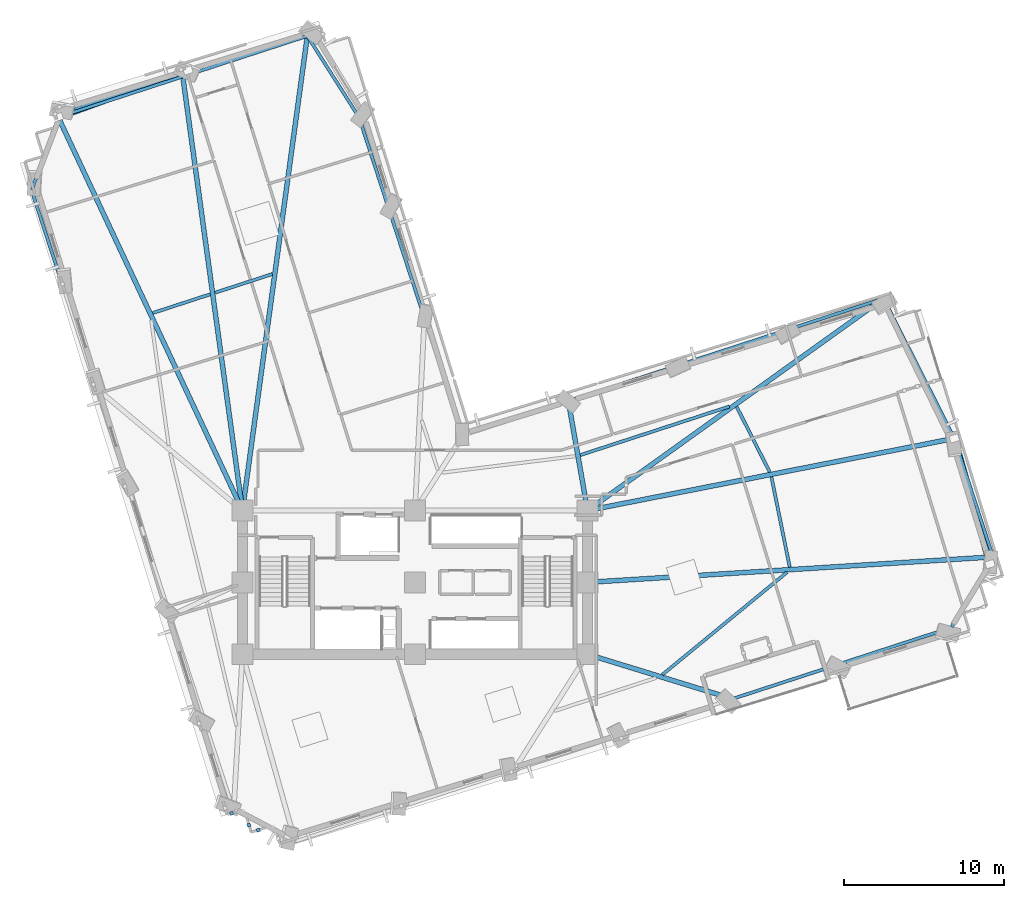
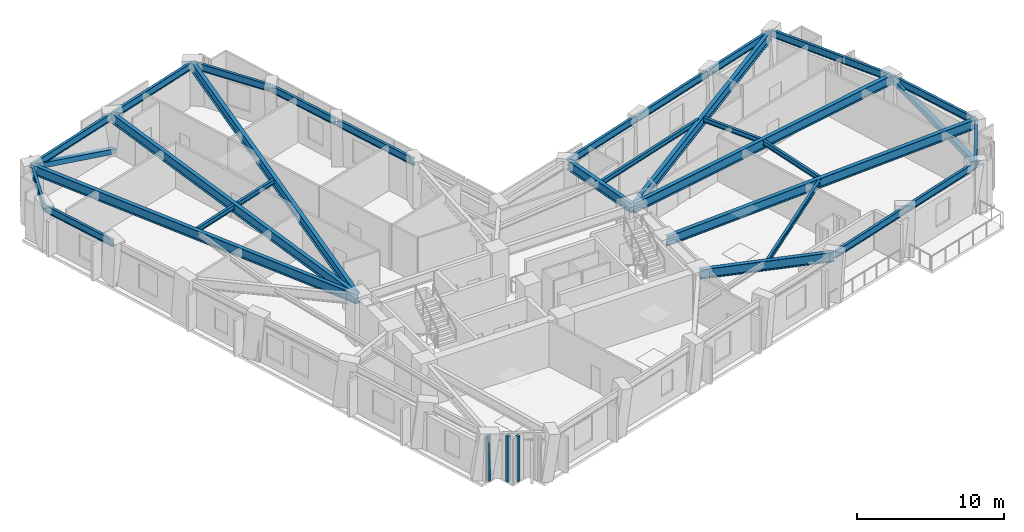
# One storey, part 2 of 14: 29 beams, 3 plates, 2 members.
"""IFC4 building model written with IfcOpenShell, lengths in metres."""

from ifc_helpers import new_model, si_unit, direction, frame, origin, origin_2d, place, context, subcontext, project, spatial, rectangle, hollow_rectangle, i_section, extrude, material, layer, layer_set, material_profile, profile_set, type_object, element, save


model = new_model("IFC4")

# Units and contexts
model_context = context("Model", 3, precision=1e-05, world=origin(), true_north=direction((0.0, 1.0)))
body_context = subcontext(model_context, "Body", "Model", "MODEL_VIEW")
ifc_project = project(units=[si_unit("LENGTHUNIT", "METRE"), si_unit("AREAUNIT", "SQUARE_METRE"), si_unit("VOLUMEUNIT", "CUBIC_METRE"), si_unit("PLANEANGLEUNIT", "RADIAN"), si_unit("MASSUNIT", "GRAM", prefix="KILO")], contexts=[model_context])

# Site, building, storey
site_placement = place(None, origin())
site = spatial("IfcSite", under=ifc_project, at=site_placement, CompositionType="ELEMENT")
building_placement = place(site_placement, origin())
building = spatial("IfcBuilding", under=site, at=building_placement, Name="Gaonmaruhae Medical Tower", CompositionType="ELEMENT")
storey_placement = place(building_placement, frame((0.0, 0.0, 96.39990234375)))
storey = spatial("IfcBuildingStorey", under=building, at=storey_placement, Name="L22", CompositionType="ELEMENT", Elevation=96.39990234375)

# Beams
ifc_material_1 = material(Name="Steel SM355", Category="steel")
ifc_material_profile_1 = material_profile(ifc_material_1, i_section(OverallWidth=0.199951171875, OverallDepth=0.39990234375, WebThickness=0.008056640625, FlangeThickness=0.012939453125, FilletRadius=0.012939453125, at=origin_2d()), Name="H-400x200x8x13")
ifc_profile_set_1 = profile_set([ifc_material_profile_1], Name="Steel SM355")
beam_type_1 = type_object("IfcBeamType", Name="FJ-01 Lower Zone Ward Floor Joist (H-400x200x8x13)", PredefinedType="JOIST", material=ifc_profile_set_1)
beam_1_placement = place(storey_placement, frame((40.282470703125, 6.522216796875, 3.580078125), z_axis=(0.772736419229, 0.634727048736, 0.0), x_axis=(-0.634727048736, 0.772736419229, 0.0)))
element("IfcBeam", 1, at=beam_1_placement, inside=storey, type_object=beam_type_1, Name="L22 Secondary Floor Joist FJ03", PredefinedType="JOIST", context=body_context, shape_type="SweptSolid", body=[
    extrude(i_section(OverallWidth=0.199951171875, OverallDepth=0.39990234375, WebThickness=0.008056640625, FlangeThickness=0.012939453125, FilletRadius=0.012939453125, at=origin_2d()), origin(), (0.0, 0.0, 1.0), 10.09765625),
])
beam_2_placement = place(storey_placement, frame((48.256591796875, 13.252197265625, 3.580078125), z_axis=(-0.198753661797, 0.980049479324, 0.0), x_axis=(-0.980049479324, -0.198753661797, 0.0)))
element("IfcBeam", 2, at=beam_2_placement, inside=storey, type_object=beam_type_1, Name="L22 Secondary Floor Joist FJ04", PredefinedType="JOIST", context=body_context, shape_type="SweptSolid", body=[
    extrude(i_section(OverallWidth=0.199951171875, OverallDepth=0.39990234375, WebThickness=0.008056640625, FlangeThickness=0.012939453125, FilletRadius=0.012939453125, at=origin_2d()), origin(), (0.0, 0.0, 1.0), 5.765869140625),
])
beam_3_placement = place(storey_placement, frame((47.006591796875, 19.2001953125, 3.580078125), z_axis=(-0.451507997777, 0.892267072094, 0.0), x_axis=(-0.892267072094, -0.451507997777, 0.0)))
element("IfcBeam", 3, at=beam_3_placement, inside=storey, type_object=beam_type_1, Name="L22 Secondary Floor Joist FJ05", PredefinedType="JOIST", context=body_context, shape_type="SweptSolid", body=[
    extrude(i_section(OverallWidth=0.199951171875, OverallDepth=0.39990234375, WebThickness=0.008056640625, FlangeThickness=0.012939453125, FilletRadius=0.012939453125, at=origin_2d()), origin(), (0.0, 0.0, 1.0), 4.588134765625),
])
beam_4_placement = place(storey_placement, frame((44.482666015625, 23.310791015625, 3.580078125), z_axis=(-0.950783368758, -0.309856395275, 0.0), x_axis=(0.309856395275, -0.950783368758, 0.0)))
element("IfcBeam", 4, at=beam_4_placement, inside=storey, type_object=beam_type_1, Name="L22 Secondary Floor Joist FJ06", PredefinedType="JOIST", context=body_context, shape_type="SweptSolid", body=[
    extrude(i_section(OverallWidth=0.199951171875, OverallDepth=0.39990234375, WebThickness=0.008056640625, FlangeThickness=0.012939453125, FilletRadius=0.012939453125, at=origin_2d()), origin(), (0.0, 0.0, 1.0), 9.816650390625),
])
beam_5_placement = place(storey_placement, frame((15.865966796875, 31.59814453125, 3.580078125), z_axis=(-0.95078668995, -0.309846204131, 0.0), x_axis=(0.309846204131, -0.95078668995, 0.0)))
element("IfcBeam", 5, at=beam_5_placement, inside=storey, type_object=beam_type_1, Name="L22 Secondary Floor Joist FJ10", PredefinedType="JOIST", context=body_context, shape_type="SweptSolid", body=[
    extrude(i_section(OverallWidth=0.199951171875, OverallDepth=0.39990234375, WebThickness=0.008056640625, FlangeThickness=0.012939453125, FilletRadius=0.012939453125, at=origin_2d()), origin(), (0.0, 0.0, 1.0), 3.768798828125),
])
beam_6_placement = place(storey_placement, frame((11.9814453125, 30.332275390625, 3.580078125), z_axis=(-0.95078438889, -0.309853265018, 0.0), x_axis=(0.309853265018, -0.95078438889, 0.0)))
element("IfcBeam", 6, at=beam_6_placement, inside=storey, type_object=beam_type_1, Name="L22 Secondary Floor Joist FJ11", PredefinedType="JOIST", context=body_context, shape_type="SweptSolid", body=[
    extrude(i_section(OverallWidth=0.199951171875, OverallDepth=0.39990234375, WebThickness=0.008056640625, FlangeThickness=0.012939453125, FilletRadius=0.012939453125, at=origin_2d()), origin(), (0.0, 0.0, 1.0), 3.784423828125),
])

# Members
ifc_material_2 = material(Name="Steel SM420", Category="steel")
ifc_material_profile_2 = material_profile(ifc_material_2, hollow_rectangle(XDim=0.39990234375, YDim=0.39990234375, WallThickness=0.01611328125, at=origin_2d()), Name="RHS-400x400x16")
ifc_profile_set_2 = profile_set([ifc_material_profile_2], Name="Steel SM420")
member_type = type_object("IfcMemberType", Name="PB-01 Perimeter Solid-Bay Tube Brace Lower (RHS-400x400x16)", PredefinedType="BRACE", material=ifc_profile_set_2)
member_1_placement = place(storey_placement, frame((60.791259765625, 13.443359375, 0.25), z_axis=(-0.253308342001, 0.892909827667, 0.372218918822), x_axis=(-0.962037032061, -0.272918942075, 0.0)))
element("IfcMember", 7, at=member_1_placement, inside=storey, type_object=member_type, Name="L22 Perimeter Tube Solid-Bay Brace E01-E02", PredefinedType="BRACE", context=body_context, shape_type="SweptSolid", body=[
    extrude(hollow_rectangle(XDim=0.39990234375, YDim=0.39990234375, WallThickness=0.01611328125, at=origin_2d()), origin(), (0.0, 0.0, 1.0), 8.81201171875),
])
member_2_placement = place(storey_placement, frame((10.5849609375, 44.3466796875, 0.25), z_axis=(-0.879389293258, -0.316863683025, 0.355347544361), x_axis=(0.338987987433, -0.940790701684, 0.0)))
element("IfcMember", 8, at=member_2_placement, inside=storey, type_object=member_type, Name="L22 Perimeter Tube Solid-Bay Brace N02-N03", PredefinedType="BRACE", context=body_context, shape_type="SweptSolid", body=[
    extrude(hollow_rectangle(XDim=0.39990234375, YDim=0.39990234375, WallThickness=0.01611328125, at=origin_2d()), origin(), (0.0, 0.0, 1.0), 9.23046875),
])

# Beams
ifc_material_profile_3 = material_profile(ifc_material_2, i_section(OverallWidth=0.300048828125, OverallDepth=0.800048828125, WebThickness=0.013916015625, FlangeThickness=0.02587890625, FilletRadius=0.01806640625, at=origin_2d()), Name="H-800x300x14x26")
ifc_profile_set_3 = profile_set([ifc_material_profile_3], Name="Steel SM420")
beam_type_2 = type_object("IfcBeamType", Name="PG-02 Zone 2 Radial Floor Girder (H-800x300x14x26)", PredefinedType="BEAM", material=ifc_profile_set_3)
beam_7_placement = place(storey_placement, frame((35.647705078125, 7.785400390625, 3.380126953125), z_axis=(0.955817759269, -0.293959880028, 0.0), x_axis=(0.293959880028, 0.955817759269, 0.0)))
element("IfcBeam", 9, at=beam_7_placement, inside=storey, type_object=beam_type_2, Name="L22 Radial Primary Girder S05", PredefinedType="BEAM", context=body_context, shape_type="SweptSolid", body=[
    extrude(i_section(OverallWidth=0.300048828125, OverallDepth=0.800048828125, WebThickness=0.013916015625, FlangeThickness=0.02587890625, FilletRadius=0.01806640625, at=origin_2d()), origin(), (0.0, 0.0, 1.0), 9.3974609375),
])
beam_8_placement = place(storey_placement, frame((35.64990234375, 12.30322265625, 3.380126953125), z_axis=(0.998028913709, 0.062755775838, 0.0), x_axis=(-0.062755775838, 0.998028913709, 0.0)))
element("IfcBeam", 10, at=beam_8_placement, inside=storey, type_object=beam_type_2, Name="L22 Radial Primary Girder E01", PredefinedType="BEAM", context=body_context, shape_type="SweptSolid", body=[
    extrude(i_section(OverallWidth=0.300048828125, OverallDepth=0.800048828125, WebThickness=0.013916015625, FlangeThickness=0.02587890625, FilletRadius=0.01806640625, at=origin_2d()), origin(), (0.0, 0.0, 1.0), 25.325927734375),
])
beam_9_placement = place(storey_placement, frame((35.649169921875, 16.8095703125, 3.380126953125), z_axis=(0.981231333275, 0.192834308667, 0.0), x_axis=(-0.192834308667, 0.981231333275, 0.0)))
element("IfcBeam", 11, at=beam_9_placement, inside=storey, type_object=beam_type_2, Name="L22 Radial Primary Girder E02", PredefinedType="BEAM", context=body_context, shape_type="SweptSolid", body=[
    extrude(i_section(OverallWidth=0.300048828125, OverallDepth=0.800048828125, WebThickness=0.013916015625, FlangeThickness=0.02587890625, FilletRadius=0.01806640625, at=origin_2d()), origin(), (0.0, 0.0, 1.0), 23.298095703125),
])
beam_10_placement = place(storey_placement, frame((35.640625, 16.8291015625, 3.360107421875), z_axis=(0.81298904057, 0.58227898804, 0.0), x_axis=(-0.58227898804, 0.81298904057, 0.0)))
element("IfcBeam", 12, at=beam_10_placement, inside=storey, type_object=beam_type_2, Name="L22 Radial Primary Girder E03", PredefinedType="BEAM", context=body_context, shape_type="SweptSolid", body=[
    extrude(i_section(OverallWidth=0.300048828125, OverallDepth=0.800048828125, WebThickness=0.013916015625, FlangeThickness=0.02587890625, FilletRadius=0.01806640625, at=origin_2d()), origin(), (0.0, 0.0, 1.0), 22.689208984375),
])
beam_11_placement = place(storey_placement, frame((35.59130859375, 16.849365234375, 3.380126953125), z_axis=(-0.172987664098, 0.984923991011, 0.0), x_axis=(-0.984923991011, -0.172987664098, 0.0)))
element("IfcBeam", 13, at=beam_11_placement, inside=storey, type_object=beam_type_2, Name="L22 Radial Primary Girder EN03", PredefinedType="BEAM", context=body_context, shape_type="SweptSolid", body=[
    extrude(i_section(OverallWidth=0.300048828125, OverallDepth=0.800048828125, WebThickness=0.013916015625, FlangeThickness=0.02587890625, FilletRadius=0.01806640625, at=origin_2d()), origin(), (0.0, 0.0, 1.0), 6.844970703125),
])
beam_12_placement = place(storey_placement, frame((14.0068359375, 16.849609375, 3.380126953125), z_axis=(0.135440629509, 0.990785464103, 0.0), x_axis=(-0.990785464103, 0.135440629509, 0.0)))
element("IfcBeam", 14, at=beam_12_placement, inside=storey, type_object=beam_type_2, Name="L22 Radial Primary Girder N01", PredefinedType="BEAM", context=body_context, shape_type="SweptSolid", body=[
    extrude(i_section(OverallWidth=0.300048828125, OverallDepth=0.800048828125, WebThickness=0.013916015625, FlangeThickness=0.02587890625, FilletRadius=0.01806640625, at=origin_2d()), origin(), (0.0, 0.0, 1.0), 29.87939453125),
])
beam_13_placement = place(storey_placement, frame((13.9931640625, 16.849609375, 3.380126953125), z_axis=(-0.136252109059, 0.990674196079, 0.0), x_axis=(-0.990674196079, -0.136252109059, 0.0)))
element("IfcBeam", 15, at=beam_13_placement, inside=storey, type_object=beam_type_2, Name="L22 Radial Primary Girder N02", PredefinedType="BEAM", context=body_context, shape_type="SweptSolid", body=[
    extrude(i_section(OverallWidth=0.300048828125, OverallDepth=0.800048828125, WebThickness=0.013916015625, FlangeThickness=0.02587890625, FilletRadius=0.01806640625, at=origin_2d()), origin(), (0.0, 0.0, 1.0), 27.318359375),
])
beam_14_placement = place(storey_placement, frame((13.978759765625, 16.84521484375, 3.380126953125), z_axis=(-0.424160462355, 0.90558704837, 0.0), x_axis=(-0.90558704837, -0.424160462355, 0.0)))
element("IfcBeam", 16, at=beam_14_placement, inside=storey, type_object=beam_type_2, Name="L22 Radial Primary Girder N03", PredefinedType="BEAM", context=body_context, shape_type="SweptSolid", body=[
    extrude(i_section(OverallWidth=0.300048828125, OverallDepth=0.800048828125, WebThickness=0.013916015625, FlangeThickness=0.02587890625, FilletRadius=0.01806640625, at=origin_2d()), origin(), (0.0, 0.0, 1.0), 27.0888671875),
])
ifc_material_profile_4 = material_profile(ifc_material_1, i_section(OverallWidth=0.199951171875, OverallDepth=0.60009765625, WebThickness=0.010986328125, FlangeThickness=0.01708984375, FilletRadius=0.012939453125, at=origin_2d()), Name="H-600x200x11x17")
ifc_profile_set_4 = profile_set([ifc_material_profile_4], Name="Steel SM355")
beam_type_3 = type_object("IfcBeamType", Name="SP-01 Lower Perimeter Spandrel Beam (H-600x200x11x17)", PredefinedType="SPANDREL", material=ifc_profile_set_4)
for number, where, z_axis, x_axis, name in (
    (17, (44.715576171875, 5.020751953125, 3.47998046875), (0.950787826961, 0.309842715104, 0.0), (-0.309842715104, 0.950787826961, 0.0), "L22 Perimeter Spandrel Beam S05-S06"),
    (18, (51.561279296875, 7.251708984375, 3.47998046875), (0.950787826961, 0.309842715104, 0.0), (-0.309842715104, 0.950787826961, 0.0), "L22 Perimeter Spandrel Beam S06-S07"),
):
    element("IfcBeam", number, at=place(storey_placement, frame(where, z_axis=z_axis, x_axis=x_axis)), inside=storey, type_object=beam_type_3, Name=name, PredefinedType="SPANDREL", context=body_context, shape_type="SweptSolid", body=[
        extrude(i_section(OverallWidth=0.199951171875, OverallDepth=0.60009765625, WebThickness=0.010986328125, FlangeThickness=0.01708984375, FilletRadius=0.012939453125, at=origin_2d()), origin(), (0.0, 0.0, 1.0), 7.119873046875),
    ])
beam_15_placement = place(storey_placement, frame((58.38916015625, 9.504638671875, 3.47998046875), z_axis=(0.507555987633, 0.861618778473, 0.0), x_axis=(-0.861618778473, 0.507555987633, 0.0)))
element("IfcBeam", 19, at=beam_15_placement, inside=storey, type_object=beam_type_3, Name="L22 Perimeter Spandrel Beam S07-E01", PredefinedType="SPANDREL", context=body_context, shape_type="SweptSolid", body=[
    extrude(i_section(OverallWidth=0.199951171875, OverallDepth=0.60009765625, WebThickness=0.010986328125, FlangeThickness=0.01708984375, FilletRadius=0.012939453125, at=origin_2d()), origin(), (0.0, 0.0, 1.0), 5.056396484375),
])
beam_16_placement = place(storey_placement, frame((60.963623046875, 13.933837890625, 3.47998046875), z_axis=(-0.309854679097, 0.950783928052, 0.0), x_axis=(-0.950783928052, -0.309854679097, 0.0)))
element("IfcBeam", 20, at=beam_16_placement, inside=storey, type_object=beam_type_3, Name="L22 Perimeter Spandrel Beam E01-E02", PredefinedType="SPANDREL", context=body_context, shape_type="SweptSolid", body=[
    extrude(i_section(OverallWidth=0.199951171875, OverallDepth=0.60009765625, WebThickness=0.010986328125, FlangeThickness=0.01708984375, FilletRadius=0.012939453125, at=origin_2d()), origin(), (0.0, 0.0, 1.0), 7.719970703125),
])
beam_17_placement = place(storey_placement, frame((58.541015625, 21.347412109375, 3.47998046875), z_axis=(-0.451501772835, 0.892270222033, 0.0), x_axis=(-0.892270222033, -0.451501772835, 0.0)))
element("IfcBeam", 21, at=beam_17_placement, inside=storey, type_object=beam_type_3, Name="L22 Perimeter Spandrel Beam E02-E03", PredefinedType="SPANDREL", context=body_context, shape_type="SweptSolid", body=[
    extrude(i_section(OverallWidth=0.199951171875, OverallDepth=0.60009765625, WebThickness=0.010986328125, FlangeThickness=0.01708984375, FilletRadius=0.012939453125, at=origin_2d()), origin(), (0.0, 0.0, 1.0), 9.7353515625),
])
beam_18_placement = place(storey_placement, frame((54.08935546875, 30.057373046875, 3.460205078125), z_axis=(-0.950780224683, -0.309866042593, 0.0), x_axis=(0.309866042593, -0.950780224683, 0.0)))
element("IfcBeam", 22, at=beam_18_placement, inside=storey, type_object=beam_type_3, Name="L22 Perimeter Spandrel Beam E03-EN01", PredefinedType="SPANDREL", context=body_context, shape_type="SweptSolid", body=[
    extrude(i_section(OverallWidth=0.199951171875, OverallDepth=0.60009765625, WebThickness=0.010986328125, FlangeThickness=0.01708984375, FilletRadius=0.012939453125, at=origin_2d()), origin(), (0.0, 0.0, 1.0), 6.27001953125),
])
for number, where, z_axis, x_axis, name in (
    (23, (48.052001953125, 28.08984375, 3.460205078125), (-0.950791118707, -0.309832613821, 0.0), (0.309832613821, -0.950791118707, 0.0), "L22 Perimeter Spandrel Beam EN01-EN02"),
    (24, (41.206298828125, 25.85888671875, 3.47998046875), (-0.950791118707, -0.309832613821, 0.0), (0.309832613821, -0.950791118707, 0.0), "L22 Perimeter Spandrel Beam EN02-EN03"),
):
    element("IfcBeam", number, at=place(storey_placement, frame(where, z_axis=z_axis, x_axis=x_axis)), inside=storey, type_object=beam_type_3, Name=name, PredefinedType="SPANDREL", context=body_context, shape_type="SweptSolid", body=[
        extrude(i_section(OverallWidth=0.199951171875, OverallDepth=0.60009765625, WebThickness=0.010986328125, FlangeThickness=0.01708984375, FilletRadius=0.012939453125, at=origin_2d()), origin(), (0.0, 0.0, 1.0), 7.1201171875),
    ])
beam_19_placement = place(storey_placement, frame((25.376953125, 28.8935546875, 3.47998046875), z_axis=(-0.309842715104, 0.950787826961, 0.0), x_axis=(-0.950787826961, -0.309842715104, 0.0)))
element("IfcBeam", 25, at=beam_19_placement, inside=storey, type_object=beam_type_3, Name="L22 Perimeter Spandrel Beam NE01-NE02", PredefinedType="SPANDREL", context=body_context, shape_type="SweptSolid", body=[
    extrude(i_section(OverallWidth=0.199951171875, OverallDepth=0.60009765625, WebThickness=0.010986328125, FlangeThickness=0.01708984375, FilletRadius=0.012939453125, at=origin_2d()), origin(), (0.0, 0.0, 1.0), 7.119873046875),
])
beam_20_placement = place(storey_placement, frame((23.14599609375, 35.7392578125, 3.47998046875), z_axis=(-0.309836643235, 0.95078980564, 0.0), x_axis=(-0.95078980564, -0.309836643235, 0.0)))
element("IfcBeam", 26, at=beam_20_placement, inside=storey, type_object=beam_type_3, Name="L22 Perimeter Spandrel Beam NE02-NE03", PredefinedType="SPANDREL", context=body_context, shape_type="SweptSolid", body=[
    extrude(i_section(OverallWidth=0.199951171875, OverallDepth=0.60009765625, WebThickness=0.010986328125, FlangeThickness=0.01708984375, FilletRadius=0.012939453125, at=origin_2d()), origin(), (0.0, 0.0, 1.0), 5.919921875),
])
beam_21_placement = place(storey_placement, frame((21.27783203125, 41.439697265625, 3.47998046875), z_axis=(-0.536281552646, 0.844039155662, 0.0), x_axis=(-0.844039155662, -0.536281552646, 0.0)))
element("IfcBeam", 27, at=beam_21_placement, inside=storey, type_object=beam_type_3, Name="L22 Perimeter Spandrel Beam NE03-N01", PredefinedType="SPANDREL", context=body_context, shape_type="SweptSolid", body=[
    extrude(i_section(OverallWidth=0.199951171875, OverallDepth=0.60009765625, WebThickness=0.010986328125, FlangeThickness=0.01708984375, FilletRadius=0.012939453125, at=origin_2d()), origin(), (0.0, 0.0, 1.0), 5.959228515625),
])
beam_22_placement = place(storey_placement, frame((18.0224609375, 46.490966796875, 3.47998046875), z_axis=(-0.950778761974, -0.309870530672, 0.0), x_axis=(0.309870530672, -0.950778761974, 0.0)))
element("IfcBeam", 28, at=beam_22_placement, inside=storey, type_object=beam_type_3, Name="L22 Perimeter Spandrel Beam N01-N02", PredefinedType="SPANDREL", context=body_context, shape_type="SweptSolid", body=[
    extrude(i_section(OverallWidth=0.199951171875, OverallDepth=0.60009765625, WebThickness=0.010986328125, FlangeThickness=0.01708984375, FilletRadius=0.012939453125, at=origin_2d()), origin(), (0.0, 0.0, 1.0), 8.119873046875),
])
beam_23_placement = place(storey_placement, frame((10.22607421875, 43.9501953125, 3.47998046875), z_axis=(-0.950781648876, -0.309861672622, 0.0), x_axis=(0.309861672622, -0.950781648876, 0.0)))
element("IfcBeam", 29, at=beam_23_placement, inside=storey, type_object=beam_type_3, Name="L22 Perimeter Spandrel Beam N02-N03", PredefinedType="SPANDREL", context=body_context, shape_type="SweptSolid", body=[
    extrude(i_section(OverallWidth=0.199951171875, OverallDepth=0.60009765625, WebThickness=0.010986328125, FlangeThickness=0.01708984375, FilletRadius=0.012939453125, at=origin_2d()), origin(), (0.0, 0.0, 1.0), 8.1201171875),
])
beam_24_placement = place(storey_placement, frame((2.4541015625, 41.384033203125, 3.47998046875), z_axis=(-0.340019343652, -0.940418441941, 0.0), x_axis=(0.940418441941, -0.340019343652, 0.0)))
element("IfcBeam", 30, at=beam_24_placement, inside=storey, type_object=beam_type_3, Name="L22 Perimeter Spandrel Beam N03-W01", PredefinedType="SPANDREL", context=body_context, shape_type="SweptSolid", body=[
    extrude(i_section(OverallWidth=0.199951171875, OverallDepth=0.60009765625, WebThickness=0.010986328125, FlangeThickness=0.01708984375, FilletRadius=0.012939453125, at=origin_2d()), origin(), (0.0, 0.0, 1.0), 4.80078125),
])
beam_25_placement = place(storey_placement, frame((0.820556640625, 36.793701171875, 3.47998046875), z_axis=(0.309846770402, -0.950786505411, 0.0), x_axis=(0.950786505411, 0.309846770402, 0.0)))
element("IfcBeam", 31, at=beam_25_placement, inside=storey, type_object=beam_type_3, Name="L22 Perimeter Spandrel Beam W01-W02", PredefinedType="SPANDREL", context=body_context, shape_type="SweptSolid", body=[
    extrude(i_section(OverallWidth=0.199951171875, OverallDepth=0.60009765625, WebThickness=0.010986328125, FlangeThickness=0.01708984375, FilletRadius=0.012939453125, at=origin_2d()), origin(), (0.0, 0.0, 1.0), 6.320068359375),
])

# Plates
ifc_material_3 = material(Name="Anodised aluminium 6063-T6", Category="aluminium")
ifc_layer = layer(ifc_material_3, 0.011962890625)
ifc_layer_set = layer_set([ifc_layer], Name="Anodised aluminium 6063-T6")
plate_type = type_object("IfcPlateType", Name="PP-01 Interior Partition Corner Stiffener Plate", PredefinedType="SHEET", material=ifc_layer_set)
for number, where, z_axis, x_axis, name in (
    (32, (14.992919921875, -3.208984375, 0.0), (0.0, 0.0, 1.0), (-0.955731410174, -0.294240499603, 0.0), "L22 Partition Corner Stiffener Plate PLT-L22-JGP-PW013"),
    (33, (14.3935546875, -2.89208984375, 0.0), (0.0, 0.0, 1.0), (-0.295191151453, 0.955438215744, 0.0), "L22 Partition Corner Stiffener Plate PLT-L22-JGP-PW014"),
    (34, (13.31494140625, -2.156005859375, 0.0), (0.0, 0.0, 1.0), (-0.955777617573, -0.294090370034, 0.0), "L22 Partition Corner Stiffener Plate PLT-L22-JGP-PW015"),
):
    element("IfcPlate", number, at=place(storey_placement, frame(where, z_axis=z_axis, x_axis=x_axis)), inside=storey, type_object=plate_type, Name=name, PredefinedType="SHEET", context=body_context, shape_type="SweptSolid", body=[
        extrude(rectangle(XDim=0.219970703125, YDim=0.219970703125, at=origin_2d()), origin(), (0.0, 0.0, 1.0), 3.780029296875),
    ])

save(model, "model.ifc")
